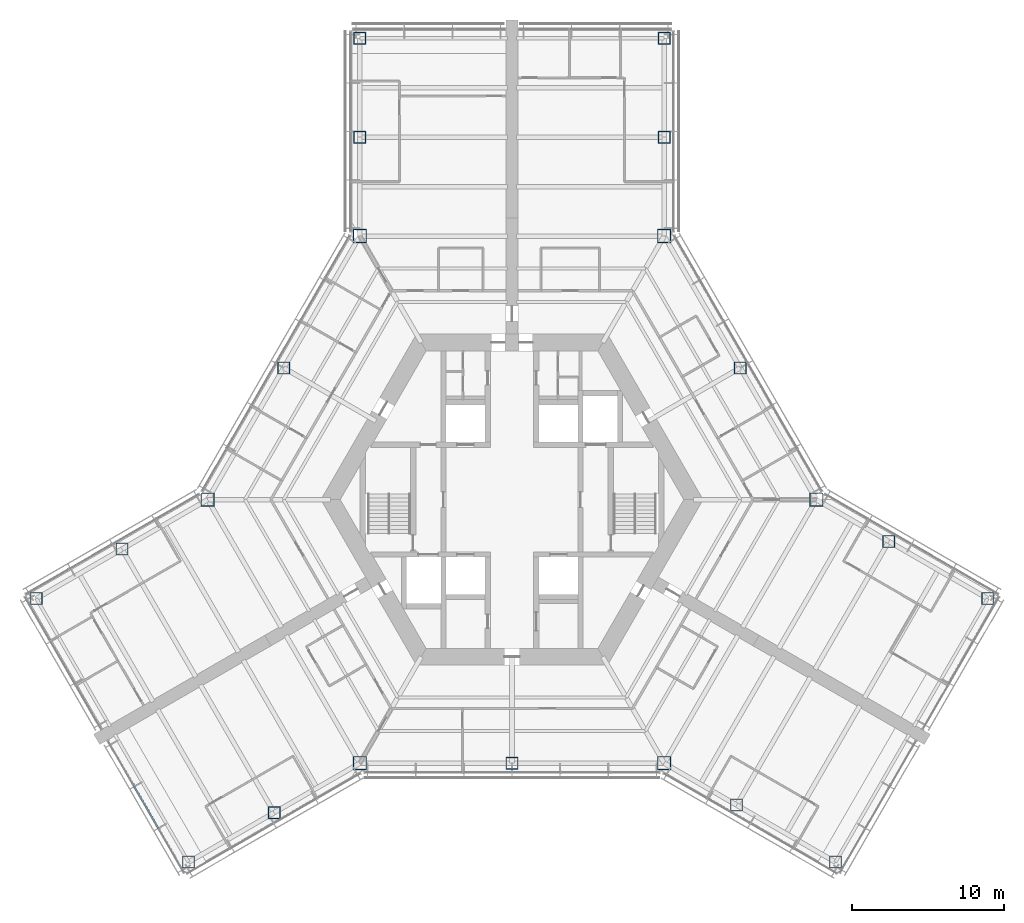
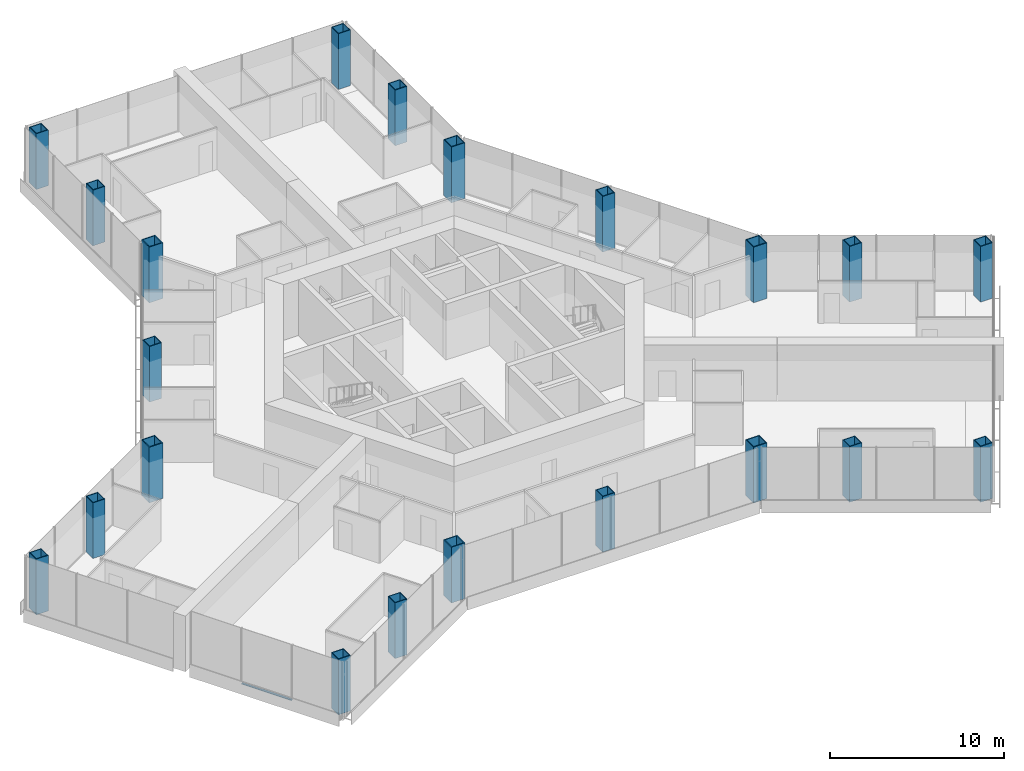
# One storey, part 1 of 19: 21 columns, 1 member, 1 element without a shape of its own.
"""IFC4 building model written with IfcOpenShell, lengths in metres."""

from ifc_helpers import new_model, si_unit, direction, frame, origin, origin_2d, place, context, subcontext, project, spatial, rectangle, hollow_rectangle, extrude, material, material_profile, profile_set, type_object, element, aggregate, save


model = new_model("IFC4")

# Units and contexts
model_context = context("Model", 3, precision=1e-05, world=origin(), true_north=direction((0.0, 1.0)))
body_context = subcontext(model_context, "Body", "Model", "MODEL_VIEW")
ifc_project = project(units=[si_unit("LENGTHUNIT", "METRE"), si_unit("AREAUNIT", "SQUARE_METRE"), si_unit("VOLUMEUNIT", "CUBIC_METRE"), si_unit("PLANEANGLEUNIT", "RADIAN"), si_unit("MASSUNIT", "GRAM", prefix="KILO")], contexts=[model_context])

# Site, building, storey
site_placement = place(None, origin())
site = spatial("IfcSite", under=ifc_project, at=site_placement, CompositionType="ELEMENT")
building_placement = place(site_placement, origin())
building = spatial("IfcBuilding", under=site, at=building_placement, Name="Kasaneha Research Tower", CompositionType="ELEMENT")
storey_placement = place(building_placement, frame((0.0, 0.0, 104.10009765625)))
storey = spatial("IfcBuildingStorey", under=building, at=storey_placement, Name="L26", CompositionType="ELEMENT", Elevation=104.10009765625)

# Columns
ifc_material_1 = material(Name="Steel SN490C", Category="steel")
ifc_material_profile_1 = material_profile(ifc_material_1, hollow_rectangle(XDim=0.89990234375, YDim=0.89990234375, WallThickness=0.054931640625, at=origin_2d()), Name="BOX-900x900x55")
ifc_profile_set_1 = profile_set([ifc_material_profile_1], Name="Steel SN490C")
column_type_1 = type_object("IfcColumnType", Name="C2A column BOX-900x900x55", PredefinedType="COLUMN", material=ifc_profile_set_1)
for number, where, z_axis, x_axis, name in (
    (1, (20.0, 0.0, 0.0), (0.0, 0.0, 1.0), (1.0, 0.0, 0.0), "Column V0 L26"),
    (2, (10.0, 17.320556640625, 0.0), (0.0, 0.0, 1.0), (1.0, 0.0, 0.0), "Column V1 L26"),
    (3, (-10.0, 17.320556640625, 0.0), (0.0, 0.0, 1.0), (1.0, 0.0, 0.0), "Column V2 L26"),
    (4, (-20.0, 0.0, 0.0), (0.0, 0.0, 1.0), (1.0, 0.0, 0.0), "Column V3 L26"),
    (5, (-10.0, -17.320556640625, 0.0), (0.0, 0.0, 1.0), (1.0, 0.0, 0.0), "Column V4 L26"),
    (6, (10.0, -17.320556640625, 0.0), (0.0, 0.0, 1.0), (1.0, 0.0, 0.0), "Column V5 L26"),
):
    element("IfcColumn", number, at=place(storey_placement, frame(where, z_axis=z_axis, x_axis=x_axis)), inside=storey, type_object=column_type_1, Name=name, PredefinedType="COLUMN", context=body_context, shape_type="SweptSolid", body=[
        extrude(hollow_rectangle(XDim=0.89990234375, YDim=0.89990234375, WallThickness=0.054931640625, at=origin_2d()), origin(), (0.0, 0.0, 1.0), 3.89990234375),
    ])
ifc_material_2 = material(Name="Steel SN490C", Category="steel")
ifc_material_profile_2 = material_profile(ifc_material_2, hollow_rectangle(XDim=0.800048828125, YDim=0.800048828125, WallThickness=0.044921875, at=origin_2d()), Name="BOX-800x800x45")
ifc_profile_set_2 = profile_set([ifc_material_profile_2], Name="Steel SN490C")
column_type_2 = type_object("IfcColumnType", Name="C2B column BOX-800x800x45", PredefinedType="COLUMN", material=ifc_profile_set_2)
for number, where, z_axis, x_axis, name in (
    (7, (15.0, 8.66015625, 0.0), (0.0, 0.0, 1.0), (1.0, 0.0, 0.0), "Column M030 L26"),
    (8, (-15.0, 8.66015625, 0.0), (0.0, 0.0, 1.0), (1.0, 0.0, 0.0), "Column M150 L26"),
    (9, (0.0, -17.320556640625, 0.0), (0.0, 0.0, 1.0), (1.0, 0.0, 0.0), "Column M270 L26"),
    (10, (10.0, 23.820556640625, 0.0), (0.0, 0.0, 1.0), (1.0, 0.0, 0.0), "Column ASP L26"),
    (11, (10.0, 30.320556640625, 0.0), (0.0, 0.0, 1.0), (1.0, 0.0, 0.0), "Column ATP L26"),
    (12, (-10.0, 23.820556640625, 0.0), (0.0, 0.0, 1.0), (1.0, 0.0, 0.0), "Column ASN L26"),
    (13, (-10.0, 30.320556640625, 0.0), (0.0, 0.0, 1.0), (1.0, 0.0, 0.0), "Column ATN L26"),
    (14, (-25.629150390625, -3.25, 0.0), (0.0, 0.0, 1.0), (1.0, 0.0, 0.0), "Column BSP L26"),
    (15, (-31.25830078125, -6.5, 0.0), (0.0, 0.0, 1.0), (1.0, 0.0, 0.0), "Column BTP L26"),
    (16, (-15.629150390625, -20.570556640625, 0.0), (0.0, 0.0, 1.0), (1.0, 0.0, 0.0), "Column BSN L26"),
    (17, (-21.25830078125, -23.820556640625, 0.0), (0.0, 0.0, 1.0), (1.0, 0.0, 0.0), "Column BTN L26"),
    (18, (14.76318359375, -20.070556640625, 0.0), (0.0, 0.0, 1.0), (1.0, 0.0, 0.0), "Column CSP L26"),
    (19, (21.25830078125, -23.820556640625, 0.0), (0.0, 0.0, 1.0), (1.0, 0.0, 0.0), "Column CTP L26"),
    (20, (24.76318359375, -2.75, 0.0), (0.0, 0.0, 1.0), (1.0, 0.0, 0.0), "Column CSN L26"),
    (21, (31.25830078125, -6.5, 0.0), (0.0, 0.0, 1.0), (1.0, 0.0, 0.0), "Column CTN L26"),
):
    element("IfcColumn", number, at=place(storey_placement, frame(where, z_axis=z_axis, x_axis=x_axis)), inside=storey, type_object=column_type_2, Name=name, PredefinedType="COLUMN", context=body_context, shape_type="SweptSolid", body=[
        extrude(hollow_rectangle(XDim=0.800048828125, YDim=0.800048828125, WallThickness=0.044921875, at=origin_2d()), origin(), (0.0, 0.0, 1.0), 3.89990234375),
    ])

# Curtain wall, member
ifc_material_3 = material(Name="Glass and aluminium", Category="aluminium")
curtain_wall_type = type_object("IfcCurtainWallType", Name="Low-rise office curtain wall", PredefinedType="USERDEFINED", material=ifc_material_3)
curtain_wall_placement = place(storey_placement, origin())
curtain_wall = element("IfcCurtainWall", 22, at=curtain_wall_placement, inside=storey, type_object=curtain_wall_type, Name="CW-O1 L26 run 15a", ObjectType="UNITISED CURTAIN WALL", PredefinedType="USERDEFINED")
ifc_material_4 = material(Name="Aluminium 6063-T6", Category="aluminium")
ifc_material_profile_3 = material_profile(ifc_material_4, rectangle(XDim=0.1201171875, YDim=0.06005859375, at=origin_2d()), Name="CW-O1 transom 120x60")
ifc_profile_set_3 = profile_set([ifc_material_profile_3], Name="Aluminium 6063-T6")
member_type = type_object("IfcMemberType", Name="CW-O1 transom", PredefinedType="USERDEFINED", material=ifc_profile_set_3)
member_placement = place(storey_placement, frame((-24.879638671875, -18.748291015625, 0.02978515625), z_axis=(0.500014325468, -0.866017132814, 0.0), x_axis=(0.866017132814, 0.500014325468, 0.0)))
member = element("IfcMember", 23, at=member_placement, type_object=member_type, Name="CW-O1 transom 2", ObjectType="TRANSOM", PredefinedType="USERDEFINED", context=body_context, shape_type="SweptSolid", body=[
    extrude(rectangle(XDim=0.1201171875, YDim=0.06005859375, at=origin_2d()), origin(), (0.0, 0.0, 1.0), 3.306640625),
])
aggregate(curtain_wall, [member])

save(model, "model.ifc")
